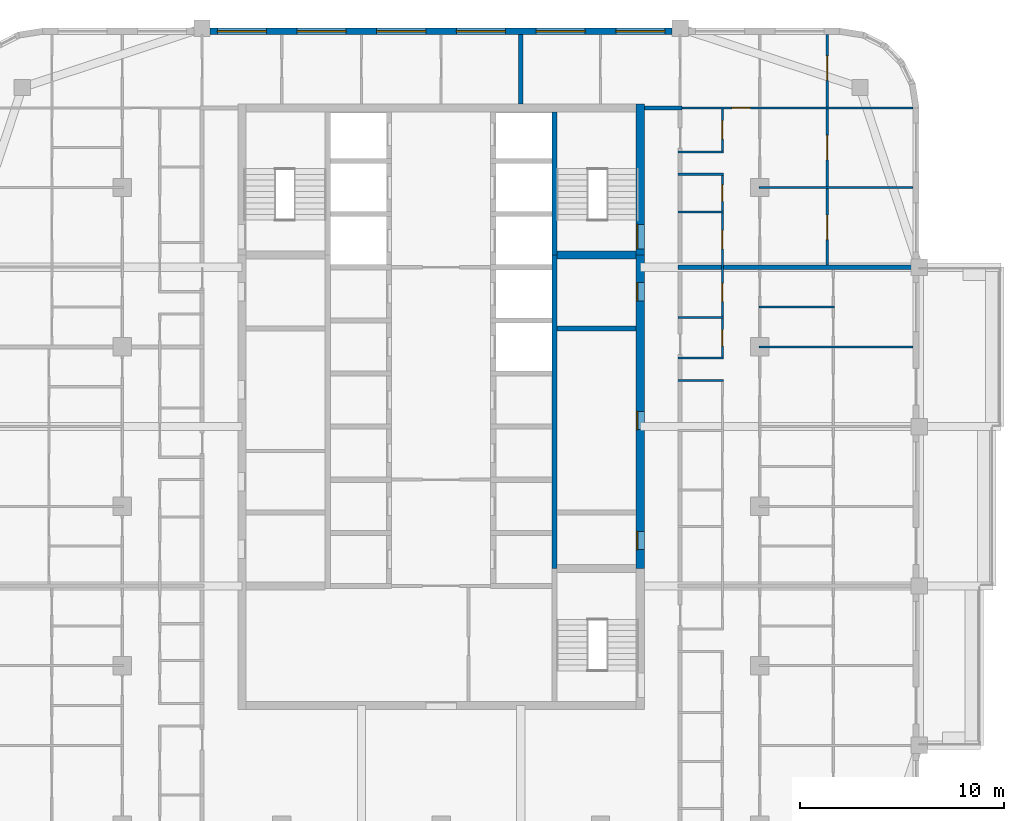
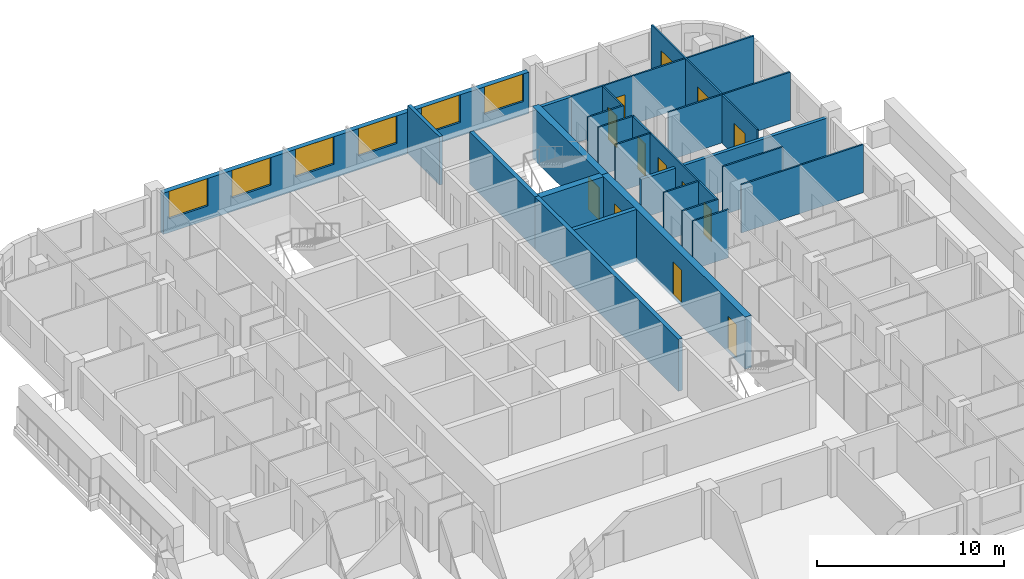
# One storey, part 11 of 16: 23 walls, 13 doors, 6 windows, 19 openings.
"""IFC4 building model written with IfcOpenShell, lengths in metres."""

from ifc_helpers import new_model, si_unit, direction, frame, frame_2d, origin, place, context, subcontext, project, spatial, rectangle, extrude, material, layer, layer_set, type_object, element, fill, save


model = new_model("IFC4")

# Units and contexts
model_context = context("Model", 3, precision=1e-05, world=origin(), true_north=direction((0.0, 1.0)))
body_context = subcontext(model_context, "Body", "Model", "MODEL_VIEW")
ifc_project = project(units=[si_unit("LENGTHUNIT", "METRE"), si_unit("AREAUNIT", "SQUARE_METRE"), si_unit("VOLUMEUNIT", "CUBIC_METRE"), si_unit("PLANEANGLEUNIT", "RADIAN"), si_unit("MASSUNIT", "GRAM", prefix="KILO")], contexts=[model_context])

# Site, building, storey
site_placement = place(None, origin())
site = spatial("IfcSite", under=ifc_project, at=site_placement, CompositionType="ELEMENT")
building_placement = place(site_placement, origin())
building = spatial("IfcBuilding", under=site, at=building_placement, Name="Ludao Terraces", CompositionType="ELEMENT")
storey_placement = place(building_placement, frame((0.0, 0.0, 227.89990234375)))
storey = spatial("IfcBuildingStorey", under=building, at=storey_placement, Name="L62", CompositionType="ELEMENT", Elevation=227.89990234375)

# Wall, openings, doors
ifc_material_1 = material(Name="Concrete C50", Category="concrete")
ifc_layer_1 = layer(ifc_material_1, 0.39990234375)
ifc_layer_set_1 = layer_set([ifc_layer_1], Name="Core wall 400 C50")
wall_type_1 = type_object("IfcWallType", Name="Core wall 400 C50", PredefinedType="SOLIDWALL", material=ifc_layer_set_1)
wall_1_placement = place(storey_placement, frame((94.75, 61.949951171875, -0.25), z_axis=(0.0, 0.0, 1.0), x_axis=(0.0, 1.0, 0.0)))
wall_1 = element("IfcWall", 1, at=wall_1_placement, inside=storey, type_object=wall_type_1, Name="Core wall L62 outer-E", PredefinedType="SOLIDWALL", context=body_context, shape_type="SweptSolid", body=[
    extrude(rectangle(XDim=15.35009765625, YDim=0.39990234375, at=frame_2d((7.675048828125, 0.0))), origin(), (0.0, 0.0, 1.0), 3.400146484375),
])
opening_1_placement = place(wall_1_placement, frame((0.925048828125, 0.0, 0.25)))
opening_1 = element("IfcOpeningElement", 2, at=opening_1_placement, cuts=wall_1, Name="Opening R22-055", PredefinedType="OPENING", context=body_context, shape_type="SweptSolid", body=[
    extrude(rectangle(XDim=0.89990234375, YDim=2.10009765625, at=frame_2d((0.449951171875, 1.050048828125))), frame((0.0, 0.2099609375, 0.0), z_axis=(0.0, -1.0, 0.0), x_axis=(1.0, 0.0, 0.0)), (0.0, 0.0, 1.0), 0.419921875),
])
opening_2_placement = place(wall_1_placement, frame((6.800048828125, 0.0, 0.25)))
opening_2 = element("IfcOpeningElement", 3, at=opening_2_placement, cuts=wall_1, Name="Opening R22-076", PredefinedType="OPENING", context=body_context, shape_type="SweptSolid", body=[
    extrude(rectangle(XDim=0.89990234375, YDim=2.10009765625, at=frame_2d((0.449951171875, 1.050048828125))), frame((0.0, 0.2099609375, 0.0), z_axis=(0.0, -1.0, 0.0), x_axis=(1.0, 0.0, 0.0)), (0.0, 0.0, 1.0), 0.419921875),
])
opening_3_placement = place(wall_1_placement, frame((13.10009765625, 0.0, 0.25)))
opening_3 = element("IfcOpeningElement", 4, at=opening_3_placement, cuts=wall_1, Name="Opening R22-098", PredefinedType="OPENING", context=body_context, shape_type="SweptSolid", body=[
    extrude(rectangle(XDim=0.89990234375, YDim=2.10009765625, at=frame_2d((0.449951171875, 1.050048828125))), frame((0.0, 0.2099609375, 0.0), z_axis=(0.0, -1.0, 0.0), x_axis=(1.0, 0.0, 0.0)), (0.0, 0.0, 1.0), 0.419921875),
])
ifc_material_2 = material(Name="Steel Q235", Category="steel")
door_type_1 = type_object("IfcDoorType", Name="INT Riser door 900", OperationType="SINGLE_SWING_LEFT", PredefinedType="DOOR", material=ifc_material_2)
door_1_placement = place(opening_1_placement, origin())
door_1 = element("IfcDoor", 5, at=door_1_placement, inside=storey, type_object=door_type_1, Name="DOOR 055", OperationType="SINGLE_SWING_LEFT", OverallHeight=2.10009765625, OverallWidth=0.89990234375, PredefinedType="DOOR", context=body_context, shape_type="SweptSolid", body=[
    extrude(rectangle(XDim=0.89990234375, YDim=2.10009765625, at=frame_2d((0.449951171875, 1.050048828125))), frame((0.0, 0.18505859375, 0.0), z_axis=(0.0, -1.0, 0.0), x_axis=(1.0, 0.0, 0.0)), (0.0, 0.0, 1.0), 0.050048828125),
])
fill(opening_1, door_1)
door_2_placement = place(opening_3_placement, origin())
door_2 = element("IfcDoor", 6, at=door_2_placement, inside=storey, type_object=door_type_1, Name="DOOR 098", OperationType="SINGLE_SWING_RIGHT", OverallHeight=2.10009765625, OverallWidth=0.89990234375, PredefinedType="DOOR", context=body_context, shape_type="SweptSolid", body=[
    extrude(rectangle(XDim=0.89990234375, YDim=2.10009765625, at=frame_2d((0.449951171875, 1.050048828125))), frame((0.0, 0.18505859375, 0.0), z_axis=(0.0, -1.0, 0.0), x_axis=(1.0, 0.0, 0.0)), (0.0, 0.0, 1.0), 0.050048828125),
])
fill(opening_3, door_2)
ifc_material_3 = material(Name="Timber door leaf", Category="wood")
door_type_2 = type_object("IfcDoorType", Name="INT Room door 900", OperationType="SINGLE_SWING_LEFT", PredefinedType="DOOR", material=ifc_material_3)
door_3_placement = place(opening_2_placement, origin())
door_3 = element("IfcDoor", 7, at=door_3_placement, inside=storey, type_object=door_type_2, Name="DOOR 076", OperationType="SINGLE_SWING_LEFT", OverallHeight=2.10009765625, OverallWidth=0.89990234375, PredefinedType="DOOR", context=body_context, shape_type="SweptSolid", body=[
    extrude(rectangle(XDim=0.89990234375, YDim=2.10009765625, at=frame_2d((0.449951171875, 1.050048828125))), frame((0.0, 0.18505859375, 0.0), z_axis=(0.0, -1.0, 0.0), x_axis=(1.0, 0.0, 0.0)), (0.0, 0.0, 1.0), 0.050048828125),
])
fill(opening_2, door_3)

# Wall, opening, door
wall_2_placement = place(storey_placement, frame((94.75, 77.300048828125, -0.25), z_axis=(0.0, 0.0, 1.0), x_axis=(0.0, 1.0, 0.0)))
wall_2 = element("IfcWall", 8, at=wall_2_placement, inside=storey, type_object=wall_type_1, Name="Core wall L62 outer-E-S2", PredefinedType="SOLIDWALL", context=body_context, shape_type="SweptSolid", body=[
    extrude(rectangle(XDim=7.39990234375, YDim=0.39990234375, at=frame_2d((3.699951171875, 0.0))), origin(), (0.0, 0.0, 1.0), 3.400146484375),
])
opening_4_placement = place(wall_2_placement, frame((0.300048828125, 0.0, 0.25)))
opening_4 = element("IfcOpeningElement", 9, at=opening_4_placement, cuts=wall_2, Name="Opening R22-110", PredefinedType="OPENING", context=body_context, shape_type="SweptSolid", body=[
    extrude(rectangle(XDim=1.199951171875, YDim=2.10009765625, at=frame_2d((0.60009765625, 1.050048828125))), frame((0.0, 0.2099609375, 0.0), z_axis=(0.0, -1.0, 0.0), x_axis=(1.0, 0.0, 0.0)), (0.0, 0.0, 1.0), 0.419921875),
])
door_type_3 = type_object("IfcDoorType", Name="INT Stair door 1200", OperationType="DOUBLE_DOOR_SINGLE_SWING", PredefinedType="DOOR", material=ifc_material_2)
door_4_placement = place(opening_4_placement, origin())
door_4 = element("IfcDoor", 10, at=door_4_placement, inside=storey, type_object=door_type_3, Name="DOOR 110", OperationType="DOUBLE_DOOR_SINGLE_SWING", OverallHeight=2.10009765625, OverallWidth=1.199951171875, PredefinedType="DOOR", context=body_context, shape_type="SweptSolid", body=[
    extrude(rectangle(XDim=1.199951171875, YDim=2.10009765625, at=frame_2d((0.60009765625, 1.050048828125))), frame((0.0, 0.18505859375, 0.0), z_axis=(0.0, -1.0, 0.0), x_axis=(1.0, 0.0, 0.0)), (0.0, 0.0, 1.0), 0.050048828125),
])
fill(opening_4, door_4)

# Wall, openings, windows
ifc_material_4 = material(Name="Granite cladding", Category="masonry")
ifc_layer_2 = layer(ifc_material_4, 0.0400390625, Category="stone")
ifc_material_5 = material(Name="Mineral wool")
ifc_layer_3 = layer(ifc_material_5, 0.06005859375)
ifc_material_6 = material(Name="Concrete C40", Category="concrete")
ifc_layer_4 = layer(ifc_material_6, 0.199951171875, Category="concrete")
ifc_layer_set_2 = layer_set([ifc_layer_2, ifc_layer_3, ifc_layer_4], Name="ENV Stone-clad wall 300")
wall_type_2 = type_object("IfcWallType", Name="ENV Stone-clad wall 300", PredefinedType="SOLIDWALL", material=ifc_layer_set_2)
wall_3_placement = place(storey_placement, frame((73.699951171875, 88.25, 0.0), z_axis=(0.0, 0.0, 1.0), x_axis=(1.0, 0.0, 0.0)))
wall_3 = element("IfcWall", 11, at=wall_3_placement, inside=storey, type_object=wall_type_2, Name="EW-L62-N2", PredefinedType="SOLIDWALL", context=body_context, shape_type="SweptSolid", body=[
    extrude(rectangle(XDim=22.60009765625, YDim=0.300048828125, at=frame_2d((11.300048828125, 0.0))), origin(), (0.0, 0.0, 1.0), 2.7001953125),
])
opening_5_placement = place(wall_3_placement, frame((0.35009765625, 0.0, 0.89990234375)))
opening_5 = element("IfcOpeningElement", 12, at=opening_5_placement, cuts=wall_3, Name="Opening W1", PredefinedType="OPENING", context=body_context, shape_type="SweptSolid", body=[
    extrude(rectangle(XDim=2.39990234375, YDim=1.800048828125, at=frame_2d((1.199951171875, 0.89990234375))), frame((0.0, 0.16015625, 0.0), z_axis=(0.0, -1.0, 0.0), x_axis=(1.0, 0.0, 0.0)), (0.0, 0.0, 1.0), 0.320068359375),
])
opening_6_placement = place(wall_3_placement, frame((4.25, 0.0, 0.89990234375)))
opening_6 = element("IfcOpeningElement", 13, at=opening_6_placement, cuts=wall_3, Name="Opening W1", PredefinedType="OPENING", context=body_context, shape_type="SweptSolid", body=[
    extrude(rectangle(XDim=2.39990234375, YDim=1.800048828125, at=frame_2d((1.199951171875, 0.89990234375))), frame((0.0, 0.16015625, 0.0), z_axis=(0.0, -1.0, 0.0), x_axis=(1.0, 0.0, 0.0)), (0.0, 0.0, 1.0), 0.320068359375),
])
opening_7_placement = place(wall_3_placement, frame((8.14990234375, 0.0, 0.89990234375)))
opening_7 = element("IfcOpeningElement", 14, at=opening_7_placement, cuts=wall_3, Name="Opening W1", PredefinedType="OPENING", context=body_context, shape_type="SweptSolid", body=[
    extrude(rectangle(XDim=2.39990234375, YDim=1.800048828125, at=frame_2d((1.199951171875, 0.89990234375))), frame((0.0, 0.16015625, 0.0), z_axis=(0.0, -1.0, 0.0), x_axis=(1.0, 0.0, 0.0)), (0.0, 0.0, 1.0), 0.320068359375),
])
opening_8_placement = place(wall_3_placement, frame((12.050048828125, 0.0, 0.89990234375)))
opening_8 = element("IfcOpeningElement", 15, at=opening_8_placement, cuts=wall_3, Name="Opening W1", PredefinedType="OPENING", context=body_context, shape_type="SweptSolid", body=[
    extrude(rectangle(XDim=2.39990234375, YDim=1.800048828125, at=frame_2d((1.199951171875, 0.89990234375))), frame((0.0, 0.16015625, 0.0), z_axis=(0.0, -1.0, 0.0), x_axis=(1.0, 0.0, 0.0)), (0.0, 0.0, 1.0), 0.320068359375),
])
opening_9_placement = place(wall_3_placement, frame((15.949951171875, 0.0, 0.89990234375)))
opening_9 = element("IfcOpeningElement", 16, at=opening_9_placement, cuts=wall_3, Name="Opening W1", PredefinedType="OPENING", context=body_context, shape_type="SweptSolid", body=[
    extrude(rectangle(XDim=2.39990234375, YDim=1.800048828125, at=frame_2d((1.199951171875, 0.89990234375))), frame((0.0, 0.16015625, 0.0), z_axis=(0.0, -1.0, 0.0), x_axis=(1.0, 0.0, 0.0)), (0.0, 0.0, 1.0), 0.320068359375),
])
opening_10_placement = place(wall_3_placement, frame((19.85009765625, 0.0, 0.89990234375)))
opening_10 = element("IfcOpeningElement", 17, at=opening_10_placement, cuts=wall_3, Name="Opening W1", PredefinedType="OPENING", context=body_context, shape_type="SweptSolid", body=[
    extrude(rectangle(XDim=2.39990234375, YDim=1.800048828125, at=frame_2d((1.199951171875, 0.89990234375))), frame((0.0, 0.16015625, 0.0), z_axis=(0.0, -1.0, 0.0), x_axis=(1.0, 0.0, 0.0)), (0.0, 0.0, 1.0), 0.320068359375),
])
ifc_material_7 = material(Name="Clear glass in aluminium frame", Category="aluminium")
ifc_layer_5 = layer(ifc_material_7, 0.06005859375)
ifc_layer_set_3 = layer_set([ifc_layer_5], Name="ENV Window W1 2400x1800")
window_type = type_object("IfcWindowType", Name="ENV Window W1 2400x1800", PartitioningType="DOUBLE_PANEL_VERTICAL", PredefinedType="WINDOW", material=ifc_layer_set_3)
window_1_placement = place(opening_5_placement, origin())
window_1 = element("IfcWindow", 18, at=window_1_placement, inside=storey, type_object=window_type, Name="W-L62-N2-1", OverallHeight=1.800048828125, OverallWidth=2.39990234375, PartitioningType="DOUBLE_PANEL_VERTICAL", PredefinedType="WINDOW", context=body_context, shape_type="SweptSolid", body=[
    extrude(rectangle(XDim=2.39990234375, YDim=1.800048828125, at=frame_2d((1.199951171875, 0.89990234375))), frame((0.0, 0.030029296875, 0.0), z_axis=(0.0, -1.0, 0.0), x_axis=(1.0, 0.0, 0.0)), (0.0, 0.0, 1.0), 0.06005859375),
])
fill(opening_5, window_1)
window_2_placement = place(opening_6_placement, origin())
window_2 = element("IfcWindow", 19, at=window_2_placement, inside=storey, type_object=window_type, Name="W-L62-N2-2", OverallHeight=1.800048828125, OverallWidth=2.39990234375, PartitioningType="DOUBLE_PANEL_VERTICAL", PredefinedType="WINDOW", context=body_context, shape_type="SweptSolid", body=[
    extrude(rectangle(XDim=2.39990234375, YDim=1.800048828125, at=frame_2d((1.199951171875, 0.89990234375))), frame((0.0, 0.030029296875, 0.0), z_axis=(0.0, -1.0, 0.0), x_axis=(1.0, 0.0, 0.0)), (0.0, 0.0, 1.0), 0.06005859375),
])
fill(opening_6, window_2)
window_3_placement = place(opening_7_placement, origin())
window_3 = element("IfcWindow", 20, at=window_3_placement, inside=storey, type_object=window_type, Name="W-L62-N2-3", OverallHeight=1.800048828125, OverallWidth=2.39990234375, PartitioningType="DOUBLE_PANEL_VERTICAL", PredefinedType="WINDOW", context=body_context, shape_type="SweptSolid", body=[
    extrude(rectangle(XDim=2.39990234375, YDim=1.800048828125, at=frame_2d((1.199951171875, 0.89990234375))), frame((0.0, 0.030029296875, 0.0), z_axis=(0.0, -1.0, 0.0), x_axis=(1.0, 0.0, 0.0)), (0.0, 0.0, 1.0), 0.06005859375),
])
fill(opening_7, window_3)
window_4_placement = place(opening_8_placement, origin())
window_4 = element("IfcWindow", 21, at=window_4_placement, inside=storey, type_object=window_type, Name="W-L62-N2-4", OverallHeight=1.800048828125, OverallWidth=2.39990234375, PartitioningType="DOUBLE_PANEL_VERTICAL", PredefinedType="WINDOW", context=body_context, shape_type="SweptSolid", body=[
    extrude(rectangle(XDim=2.39990234375, YDim=1.800048828125, at=frame_2d((1.199951171875, 0.89990234375))), frame((0.0, 0.030029296875, 0.0), z_axis=(0.0, -1.0, 0.0), x_axis=(1.0, 0.0, 0.0)), (0.0, 0.0, 1.0), 0.06005859375),
])
fill(opening_8, window_4)
window_5_placement = place(opening_9_placement, origin())
window_5 = element("IfcWindow", 22, at=window_5_placement, inside=storey, type_object=window_type, Name="W-L62-N2-5", OverallHeight=1.800048828125, OverallWidth=2.39990234375, PartitioningType="DOUBLE_PANEL_VERTICAL", PredefinedType="WINDOW", context=body_context, shape_type="SweptSolid", body=[
    extrude(rectangle(XDim=2.39990234375, YDim=1.800048828125, at=frame_2d((1.199951171875, 0.89990234375))), frame((0.0, 0.030029296875, 0.0), z_axis=(0.0, -1.0, 0.0), x_axis=(1.0, 0.0, 0.0)), (0.0, 0.0, 1.0), 0.06005859375),
])
fill(opening_9, window_5)
window_6_placement = place(opening_10_placement, origin())
window_6 = element("IfcWindow", 23, at=window_6_placement, inside=storey, type_object=window_type, Name="W-L62-N2-6", OverallHeight=1.800048828125, OverallWidth=2.39990234375, PartitioningType="DOUBLE_PANEL_VERTICAL", PredefinedType="WINDOW", context=body_context, shape_type="SweptSolid", body=[
    extrude(rectangle(XDim=2.39990234375, YDim=1.800048828125, at=frame_2d((1.199951171875, 0.89990234375))), frame((0.0, 0.030029296875, 0.0), z_axis=(0.0, -1.0, 0.0), x_axis=(1.0, 0.0, 0.0)), (0.0, 0.0, 1.0), 0.06005859375),
])
fill(opening_10, window_6)

# Walls
ifc_material_8 = material(Name="Autoclaved aerated concrete block B06 A3.5", Category="concrete")
ifc_layer_6 = layer(ifc_material_8, 0.199951171875)
ifc_layer_set_4 = layer_set([ifc_layer_6], Name="INT Entrance wall 200")
wall_type_3 = type_object("IfcWallType", Name="INT Entrance wall 200", PredefinedType="PARTITIONING", material=ifc_layer_set_4)
wall_4_placement = place(storey_placement, frame((94.9501953125, 84.5, 0.0), z_axis=(0.0, 0.0, 1.0), x_axis=(1.0, 0.0, 0.0)))
element("IfcWall", 24, at=wall_4_placement, inside=storey, type_object=wall_type_3, Name="PW-L62-PW067", PredefinedType="PARTITIONING", context=body_context, shape_type="SweptSolid", body=[
    extrude(rectangle(XDim=1.849853515625, YDim=0.199951171875, at=frame_2d((0.9248046875, 0.0))), origin(), (0.0, 0.0, 1.0), 3.150146484375),
])
ifc_material_9 = material(Name="Gypsum plasterboard", Category="gypsum")
ifc_layer_7 = layer(ifc_material_9, 0.012451171875, Category="gypsum")
ifc_layer_8 = layer(ifc_material_5, 0.06005859375, Name="insulation")
ifc_layer_9 = layer(ifc_material_2, 0.014892578125, Name="stud")
ifc_layer_10 = layer(ifc_material_9, 0.012451171875, Category="gypsum")
ifc_layer_set_5 = layer_set([ifc_layer_7, ifc_layer_8, ifc_layer_9, ifc_layer_10], Name="INT Partition 100")
wall_type_4 = type_object("IfcWallType", Name="INT Partition 100", PredefinedType="PARTITIONING", material=ifc_layer_set_5)
for number, where, z_axis, x_axis, name in (
    (25, (96.60009765625, 71.14990234375, 0.0), (0.0, 0.0, 1.0), (1.0, 0.0, 0.0), "PW-L62-PW045"),
    (26, (96.60009765625, 72.25, 0.0), (0.0, 0.0, 1.0), (1.0, 0.0, 0.0), "PW-L62-PW046"),
):
    element("IfcWall", number, at=place(storey_placement, frame(where, z_axis=z_axis, x_axis=x_axis)), inside=storey, type_object=wall_type_4, Name=name, PredefinedType="PARTITIONING", context=body_context, shape_type="SweptSolid", body=[
        extrude(rectangle(XDim=2.219970703125, YDim=0.10009765625, at=frame_2d((1.10986328125, 0.0))), origin(), (0.0, 0.0, 1.0), 3.150146484375),
    ])
wall_5_placement = place(storey_placement, frame((100.550048828125, 72.800048828125, 0.0), z_axis=(0.0, 0.0, 1.0), x_axis=(1.0, 0.0, 0.0)))
element("IfcWall", 27, at=wall_5_placement, inside=storey, type_object=wall_type_4, Name="PW-L62-PW048", PredefinedType="PARTITIONING", context=body_context, shape_type="SweptSolid", body=[
    extrude(rectangle(XDim=7.550048828125, YDim=0.10009765625, at=frame_2d((3.77490234375, 0.0))), origin(), (0.0, 0.0, 1.0), 3.150146484375),
])
wall_6_placement = place(storey_placement, frame((96.60009765625, 74.22998046875, 0.0), z_axis=(0.0, 0.0, 1.0), x_axis=(1.0, 0.0, 0.0)))
element("IfcWall", 28, at=wall_6_placement, inside=storey, type_object=wall_type_4, Name="PW-L62-PW049", PredefinedType="PARTITIONING", context=body_context, shape_type="SweptSolid", body=[
    extrude(rectangle(XDim=2.219970703125, YDim=0.10009765625, at=frame_2d((1.10986328125, 0.0))), origin(), (0.0, 0.0, 1.0), 3.150146484375),
])
wall_7_placement = place(storey_placement, frame((100.550048828125, 74.75, 0.0), z_axis=(0.0, 0.0, 1.0), x_axis=(1.0, 0.0, 0.0)))
element("IfcWall", 29, at=wall_7_placement, inside=storey, type_object=wall_type_4, Name="PW-L62-PW052", PredefinedType="PARTITIONING", context=body_context, shape_type="SweptSolid", body=[
    extrude(rectangle(XDim=3.699951171875, YDim=0.10009765625, at=frame_2d((1.85009765625, 0.0))), origin(), (0.0, 0.0, 1.0), 3.150146484375),
])
wall_8_placement = place(storey_placement, frame((96.60009765625, 79.39990234375, 0.0), z_axis=(0.0, 0.0, 1.0), x_axis=(1.0, 0.0, 0.0)))
element("IfcWall", 30, at=wall_8_placement, inside=storey, type_object=wall_type_4, Name="PW-L62-PW058", PredefinedType="PARTITIONING", context=body_context, shape_type="SweptSolid", body=[
    extrude(rectangle(XDim=2.219970703125, YDim=0.10009765625, at=frame_2d((1.10986328125, 0.0))), origin(), (0.0, 0.0, 1.0), 3.150146484375),
])
wall_9_placement = place(storey_placement, frame((100.550048828125, 80.60009765625, 0.0), z_axis=(0.0, 0.0, 1.0), x_axis=(1.0, 0.0, 0.0)))
element("IfcWall", 31, at=wall_9_placement, inside=storey, type_object=wall_type_4, Name="PW-L62-PW060", PredefinedType="PARTITIONING", context=body_context, shape_type="SweptSolid", body=[
    extrude(rectangle(XDim=7.550048828125, YDim=0.10009765625, at=frame_2d((3.77490234375, 0.0))), origin(), (0.0, 0.0, 1.0), 3.150146484375),
])
for number, where, z_axis, x_axis, name in (
    (32, (96.60009765625, 81.25, 0.0), (0.0, 0.0, 1.0), (1.0, 0.0, 0.0), "PW-L62-PW061"),
    (33, (96.60009765625, 82.35009765625, 0.0), (0.0, 0.0, 1.0), (1.0, 0.0, 0.0), "PW-L62-PW063"),
):
    element("IfcWall", number, at=place(storey_placement, frame(where, z_axis=z_axis, x_axis=x_axis)), inside=storey, type_object=wall_type_4, Name=name, PredefinedType="PARTITIONING", context=body_context, shape_type="SweptSolid", body=[
        extrude(rectangle(XDim=2.219970703125, YDim=0.10009765625, at=frame_2d((1.10986328125, 0.0))), origin(), (0.0, 0.0, 1.0), 3.150146484375),
    ])

# Wall, opening, door
wall_10_placement = place(storey_placement, frame((96.60009765625, 84.5, 0.0), z_axis=(0.0, 0.0, 1.0), x_axis=(1.0, 0.0, 0.0)))
wall_10 = element("IfcWall", 34, at=wall_10_placement, inside=storey, type_object=wall_type_4, Name="PW-L62-PW068", PredefinedType="PARTITIONING", context=body_context, shape_type="SweptSolid", body=[
    extrude(rectangle(XDim=11.5, YDim=0.10009765625, at=frame_2d((5.75, 0.0))), origin(), (0.0, 0.0, 1.0), 3.150146484375),
])
opening_11_placement = place(wall_10_placement, frame((2.635009765625, 0.0, 0.0)))
opening_11 = element("IfcOpeningElement", 35, at=opening_11_placement, cuts=wall_10, Name="Opening R22-130", PredefinedType="OPENING", context=body_context, shape_type="SweptSolid", body=[
    extrude(rectangle(XDim=0.89990234375, YDim=2.10009765625, at=frame_2d((0.449951171875, 1.050048828125))), frame((0.0, 0.06005859375, 0.0), z_axis=(0.0, -1.0, 0.0), x_axis=(1.0, 0.0, 0.0)), (0.0, 0.0, 1.0), 0.1201171875),
])
door_5_placement = place(opening_11_placement, origin())
door_5 = element("IfcDoor", 36, at=door_5_placement, inside=storey, type_object=door_type_2, Name="DOOR 130", OperationType="SINGLE_SWING_LEFT", OverallHeight=2.10009765625, OverallWidth=0.89990234375, PredefinedType="DOOR", context=body_context, shape_type="SweptSolid", body=[
    extrude(rectangle(XDim=0.89990234375, YDim=2.10009765625, at=frame_2d((0.449951171875, 1.050048828125))), frame((0.0, 0.02490234375, 0.0), z_axis=(0.0, -1.0, 0.0), x_axis=(1.0, 0.0, 0.0)), (0.0, 0.0, 1.0), 0.050048828125),
])
fill(opening_11, door_5)

# Wall, openings, doors
wall_11_placement = place(storey_placement, frame((98.77001953125, 72.300048828125, 0.0), z_axis=(0.0, 0.0, 1.0), x_axis=(0.0, 1.0, 0.0)))
wall_11 = element("IfcWall", 37, at=wall_11_placement, inside=storey, type_object=wall_type_4, Name="PW-L62-PW093", PredefinedType="PARTITIONING", context=body_context, shape_type="SweptSolid", body=[
    extrude(rectangle(XDim=8.900146484375, YDim=0.10009765625, at=frame_2d((4.4501953125, 0.0))), origin(), (0.0, 0.0, 1.0), 3.150146484375),
])
opening_12_placement = place(wall_11_placement, frame((0.5400390625, 0.0, 0.0)))
opening_12 = element("IfcOpeningElement", 38, at=opening_12_placement, cuts=wall_11, Name="Opening R22-090", PredefinedType="OPENING", context=body_context, shape_type="SweptSolid", body=[
    extrude(rectangle(XDim=0.800048828125, YDim=2.10009765625, at=frame_2d((0.39990234375, 1.050048828125))), frame((0.0, 0.06005859375, 0.0), z_axis=(0.0, -1.0, 0.0), x_axis=(1.0, 0.0, 0.0)), (0.0, 0.0, 1.0), 0.1201171875),
])
opening_13_placement = place(wall_11_placement, frame((2.715087890625, 0.0, 0.0)))
opening_13 = element("IfcOpeningElement", 39, at=opening_13_placement, cuts=wall_11, Name="Opening R22-096", PredefinedType="OPENING", context=body_context, shape_type="SweptSolid", body=[
    extrude(rectangle(XDim=0.89990234375, YDim=2.10009765625, at=frame_2d((0.449951171875, 1.050048828125))), frame((0.0, 0.06005859375, 0.0), z_axis=(0.0, -1.0, 0.0), x_axis=(1.0, 0.0, 0.0)), (0.0, 0.0, 1.0), 0.1201171875),
])
opening_14_placement = place(wall_11_placement, frame((5.300048828125, 0.0, 0.0)))
opening_14 = element("IfcOpeningElement", 40, at=opening_14_placement, cuts=wall_11, Name="Opening R22-108", PredefinedType="OPENING", context=body_context, shape_type="SweptSolid", body=[
    extrude(rectangle(XDim=0.89990234375, YDim=2.10009765625, at=frame_2d((0.449951171875, 1.050048828125))), frame((0.0, 0.06005859375, 0.0), z_axis=(0.0, -1.0, 0.0), x_axis=(1.0, 0.0, 0.0)), (0.0, 0.0, 1.0), 0.1201171875),
])
opening_15_placement = place(wall_11_placement, frame((7.625, 0.0, 0.0)))
opening_15 = element("IfcOpeningElement", 41, at=opening_15_placement, cuts=wall_11, Name="Opening R22-116", PredefinedType="OPENING", context=body_context, shape_type="SweptSolid", body=[
    extrude(rectangle(XDim=0.800048828125, YDim=2.10009765625, at=frame_2d((0.39990234375, 1.050048828125))), frame((0.0, 0.06005859375, 0.0), z_axis=(0.0, -1.0, 0.0), x_axis=(1.0, 0.0, 0.0)), (0.0, 0.0, 1.0), 0.1201171875),
])
door_6_placement = place(opening_13_placement, origin())
door_6 = element("IfcDoor", 42, at=door_6_placement, inside=storey, type_object=door_type_2, Name="DOOR 096", OperationType="SINGLE_SWING_RIGHT", OverallHeight=2.10009765625, OverallWidth=0.89990234375, PredefinedType="DOOR", context=body_context, shape_type="SweptSolid", body=[
    extrude(rectangle(XDim=0.89990234375, YDim=2.10009765625, at=frame_2d((0.449951171875, 1.050048828125))), frame((0.0, 0.02490234375, 0.0), z_axis=(0.0, -1.0, 0.0), x_axis=(1.0, 0.0, 0.0)), (0.0, 0.0, 1.0), 0.050048828125),
])
fill(opening_13, door_6)
door_7_placement = place(opening_14_placement, origin())
door_7 = element("IfcDoor", 43, at=door_7_placement, inside=storey, type_object=door_type_2, Name="DOOR 108", OperationType="SINGLE_SWING_LEFT", OverallHeight=2.10009765625, OverallWidth=0.89990234375, PredefinedType="DOOR", context=body_context, shape_type="SweptSolid", body=[
    extrude(rectangle(XDim=0.89990234375, YDim=2.10009765625, at=frame_2d((0.449951171875, 1.050048828125))), frame((0.0, 0.02490234375, 0.0), z_axis=(0.0, -1.0, 0.0), x_axis=(1.0, 0.0, 0.0)), (0.0, 0.0, 1.0), 0.050048828125),
])
fill(opening_14, door_7)
door_type_4 = type_object("IfcDoorType", Name="INT Store door 800", OperationType="SINGLE_SWING_LEFT", PredefinedType="DOOR", material=ifc_material_3)
door_8_placement = place(opening_12_placement, origin())
door_8 = element("IfcDoor", 44, at=door_8_placement, inside=storey, type_object=door_type_4, Name="DOOR 090", OperationType="SINGLE_SWING_LEFT", OverallHeight=2.10009765625, OverallWidth=0.800048828125, PredefinedType="DOOR", context=body_context, shape_type="SweptSolid", body=[
    extrude(rectangle(XDim=0.800048828125, YDim=2.10009765625, at=frame_2d((0.39990234375, 1.050048828125))), frame((0.0, 0.02490234375, 0.0), z_axis=(0.0, -1.0, 0.0), x_axis=(1.0, 0.0, 0.0)), (0.0, 0.0, 1.0), 0.050048828125),
])
fill(opening_12, door_8)
door_9_placement = place(opening_15_placement, origin())
door_9 = element("IfcDoor", 45, at=door_9_placement, inside=storey, type_object=door_type_4, Name="DOOR 116", OperationType="SINGLE_SWING_LEFT", OverallHeight=2.10009765625, OverallWidth=0.800048828125, PredefinedType="DOOR", context=body_context, shape_type="SweptSolid", body=[
    extrude(rectangle(XDim=0.800048828125, YDim=2.10009765625, at=frame_2d((0.39990234375, 1.050048828125))), frame((0.0, 0.02490234375, 0.0), z_axis=(0.0, -1.0, 0.0), x_axis=(1.0, 0.0, 0.0)), (0.0, 0.0, 1.0), 0.050048828125),
])
fill(opening_15, door_9)

# Wall, opening, door
wall_12_placement = place(storey_placement, frame((98.77001953125, 82.400146484375, 0.0), z_axis=(0.0, 0.0, 1.0), x_axis=(0.0, 1.0, 0.0)))
wall_12 = element("IfcWall", 46, at=wall_12_placement, inside=storey, type_object=wall_type_4, Name="PW-L62-PW094", PredefinedType="PARTITIONING", context=body_context, shape_type="SweptSolid", body=[
    extrude(rectangle(XDim=2.050048828125, YDim=0.10009765625, at=frame_2d((1.02490234375, 0.0))), origin(), (0.0, 0.0, 1.0), 3.150146484375),
])
opening_16_placement = place(wall_12_placement, frame((0.574951171875, 0.0, 0.0)))
opening_16 = element("IfcOpeningElement", 47, at=opening_16_placement, cuts=wall_12, Name="Opening R22-126", PredefinedType="OPENING", context=body_context, shape_type="SweptSolid", body=[
    extrude(rectangle(XDim=0.89990234375, YDim=2.10009765625, at=frame_2d((0.449951171875, 1.050048828125))), frame((0.0, 0.06005859375, 0.0), z_axis=(0.0, -1.0, 0.0), x_axis=(1.0, 0.0, 0.0)), (0.0, 0.0, 1.0), 0.1201171875),
])
door_type_5 = type_object("IfcDoorType", Name="INT Bathroom door 900", OperationType="SINGLE_SWING_LEFT", PredefinedType="DOOR", material=ifc_material_3)
door_10_placement = place(opening_16_placement, origin())
door_10 = element("IfcDoor", 48, at=door_10_placement, inside=storey, type_object=door_type_5, Name="DOOR 126", OperationType="SINGLE_SWING_LEFT", OverallHeight=2.10009765625, OverallWidth=0.89990234375, PredefinedType="DOOR", context=body_context, shape_type="SweptSolid", body=[
    extrude(rectangle(XDim=0.89990234375, YDim=2.10009765625, at=frame_2d((0.449951171875, 1.050048828125))), frame((0.0, 0.02490234375, 0.0), z_axis=(0.0, -1.0, 0.0), x_axis=(1.0, 0.0, 0.0)), (0.0, 0.0, 1.0), 0.050048828125),
])
fill(opening_16, door_10)

# Wall, openings, doors
wall_13_placement = place(storey_placement, frame((103.89990234375, 76.800048828125, 0.0), z_axis=(0.0, 0.0, 1.0), x_axis=(0.0, 1.0, 0.0)))
wall_13 = element("IfcWall", 49, at=wall_13_placement, inside=storey, type_object=wall_type_4, Name="PW-L62-PW096", PredefinedType="PARTITIONING", context=body_context, shape_type="SweptSolid", body=[
    extrude(rectangle(XDim=11.300048828125, YDim=0.10009765625, at=frame_2d((5.64990234375, 0.0))), origin(), (0.0, 0.0, 1.0), 3.150146484375),
])
opening_17_placement = place(wall_13_placement, frame((1.25, 0.0, 0.0)))
opening_17 = element("IfcOpeningElement", 50, at=opening_17_placement, cuts=wall_13, Name="Opening R22-114", PredefinedType="OPENING", context=body_context, shape_type="SweptSolid", body=[
    extrude(rectangle(XDim=1.199951171875, YDim=2.10009765625, at=frame_2d((0.60009765625, 1.050048828125))), frame((0.0, 0.06005859375, 0.0), z_axis=(0.0, -1.0, 0.0), x_axis=(1.0, 0.0, 0.0)), (0.0, 0.0, 1.0), 0.1201171875),
])
opening_18_placement = place(wall_13_placement, frame((5.14990234375, 0.0, 0.0)))
opening_18 = element("IfcOpeningElement", 51, at=opening_18_placement, cuts=wall_13, Name="Opening R22-121", PredefinedType="OPENING", context=body_context, shape_type="SweptSolid", body=[
    extrude(rectangle(XDim=1.199951171875, YDim=2.10009765625, at=frame_2d((0.60009765625, 1.050048828125))), frame((0.0, 0.06005859375, 0.0), z_axis=(0.0, -1.0, 0.0), x_axis=(1.0, 0.0, 0.0)), (0.0, 0.0, 1.0), 0.1201171875),
])
opening_19_placement = place(wall_13_placement, frame((9.050048828125, 0.0, 0.0)))
opening_19 = element("IfcOpeningElement", 52, at=opening_19_placement, cuts=wall_13, Name="Opening R22-140", PredefinedType="OPENING", context=body_context, shape_type="SweptSolid", body=[
    extrude(rectangle(XDim=1.199951171875, YDim=2.10009765625, at=frame_2d((0.60009765625, 1.050048828125))), frame((0.0, 0.06005859375, 0.0), z_axis=(0.0, -1.0, 0.0), x_axis=(1.0, 0.0, 0.0)), (0.0, 0.0, 1.0), 0.1201171875),
])
door_type_6 = type_object("IfcDoorType", Name="INT Double door 1200", OperationType="DOUBLE_DOOR_SINGLE_SWING", PredefinedType="DOOR", material=ifc_material_3)
door_11_placement = place(opening_17_placement, origin())
door_11 = element("IfcDoor", 53, at=door_11_placement, inside=storey, type_object=door_type_6, Name="DOOR 114", OperationType="DOUBLE_DOOR_SINGLE_SWING", OverallHeight=2.10009765625, OverallWidth=1.199951171875, PredefinedType="DOOR", context=body_context, shape_type="SweptSolid", body=[
    extrude(rectangle(XDim=1.199951171875, YDim=2.10009765625, at=frame_2d((0.60009765625, 1.050048828125))), frame((0.0, 0.02490234375, 0.0), z_axis=(0.0, -1.0, 0.0), x_axis=(1.0, 0.0, 0.0)), (0.0, 0.0, 1.0), 0.050048828125),
])
fill(opening_17, door_11)
door_12_placement = place(opening_18_placement, origin())
door_12 = element("IfcDoor", 54, at=door_12_placement, inside=storey, type_object=door_type_6, Name="DOOR 121", OperationType="DOUBLE_DOOR_SINGLE_SWING", OverallHeight=2.10009765625, OverallWidth=1.199951171875, PredefinedType="DOOR", context=body_context, shape_type="SweptSolid", body=[
    extrude(rectangle(XDim=1.199951171875, YDim=2.10009765625, at=frame_2d((0.60009765625, 1.050048828125))), frame((0.0, 0.02490234375, 0.0), z_axis=(0.0, -1.0, 0.0), x_axis=(1.0, 0.0, 0.0)), (0.0, 0.0, 1.0), 0.050048828125),
])
fill(opening_18, door_12)
door_13_placement = place(opening_19_placement, origin())
door_13 = element("IfcDoor", 55, at=door_13_placement, inside=storey, type_object=door_type_6, Name="DOOR 140", OperationType="DOUBLE_DOOR_SINGLE_SWING", OverallHeight=2.10009765625, OverallWidth=1.199951171875, PredefinedType="DOOR", context=body_context, shape_type="SweptSolid", body=[
    extrude(rectangle(XDim=1.199951171875, YDim=2.10009765625, at=frame_2d((0.60009765625, 1.050048828125))), frame((0.0, 0.02490234375, 0.0), z_axis=(0.0, -1.0, 0.0), x_axis=(1.0, 0.0, 0.0)), (0.0, 0.0, 1.0), 0.050048828125),
])
fill(opening_19, door_13)

# Walls
ifc_layer_11 = layer(ifc_material_8, 0.199951171875)
ifc_layer_set_6 = layer_set([ifc_layer_11], Name="INT Party wall 200")
wall_type_5 = type_object("IfcWallType", Name="INT Party wall 200", PredefinedType="PARTITIONING", material=ifc_layer_set_6)
wall_14_placement = place(storey_placement, frame((96.60009765625, 76.699951171875, 0.0), z_axis=(0.0, 0.0, 1.0), x_axis=(1.0, 0.0, 0.0)))
element("IfcWall", 56, at=wall_14_placement, inside=storey, type_object=wall_type_5, Name="PW-L62-PW056", PredefinedType="PARTITIONING", context=body_context, shape_type="SweptSolid", body=[
    extrude(rectangle(XDim=11.5, YDim=0.199951171875, at=frame_2d((5.75, 0.0))), origin(), (0.0, 0.0, 1.0), 2.550048828125),
])
wall_15_placement = place(storey_placement, frame((88.89990234375, 84.7001953125, 0.0), z_axis=(0.0, 0.0, 1.0), x_axis=(0.0, 1.0, 0.0)))
element("IfcWall", 57, at=wall_15_placement, inside=storey, type_object=wall_type_5, Name="PW-L62-PW085", PredefinedType="PARTITIONING", context=body_context, shape_type="SweptSolid", body=[
    extrude(rectangle(XDim=3.39990234375, YDim=0.199951171875, at=frame_2d((1.699951171875, 0.0))), origin(), (0.0, 0.0, 1.0), 3.150146484375),
])
ifc_layer_12 = layer(ifc_material_1, 0.25)
ifc_layer_set_7 = layer_set([ifc_layer_12], Name="Shaft wall 250 C50")
wall_type_6 = type_object("IfcWallType", Name="Shaft wall 250 C50", PredefinedType="SOLIDWALL", material=ifc_layer_set_7)
wall_16_placement = place(storey_placement, frame((90.550048828125, 61.949951171875, -0.25), z_axis=(0.0, 0.0, 1.0), x_axis=(0.0, 1.0, 0.0)))
element("IfcWall", 58, at=wall_16_placement, inside=storey, type_object=wall_type_6, Name="Core wall L62 back-E", PredefinedType="SOLIDWALL", context=body_context, shape_type="SweptSolid", body=[
    extrude(rectangle(XDim=15.35009765625, YDim=0.25, at=frame_2d((7.675048828125, 0.0))), origin(), (0.0, 0.0, 1.0), 3.400146484375),
])
wall_17_placement = place(storey_placement, frame((90.550048828125, 77.300048828125, -0.25), z_axis=(0.0, 0.0, 1.0), x_axis=(0.0, 1.0, 0.0)))
element("IfcWall", 59, at=wall_17_placement, inside=storey, type_object=wall_type_6, Name="Core wall L62 back-E-S2", PredefinedType="SOLIDWALL", context=body_context, shape_type="SweptSolid", body=[
    extrude(rectangle(XDim=7.0, YDim=0.25, at=frame_2d((3.5, 0.0))), origin(), (0.0, 0.0, 1.0), 3.400146484375),
])
wall_18_placement = place(storey_placement, frame((90.675048828125, 73.699951171875, -0.25), z_axis=(0.0, 0.0, 1.0), x_axis=(1.0, 0.0, 0.0)))
element("IfcWall", 60, at=wall_18_placement, inside=storey, type_object=wall_type_6, Name="Core wall L62 riser-b-E", PredefinedType="SOLIDWALL", context=body_context, shape_type="SweptSolid", body=[
    extrude(rectangle(XDim=3.875, YDim=0.25, at=frame_2d((1.9375, 0.0))), origin(), (0.0, 0.0, 1.0), 3.400146484375),
])
ifc_layer_13 = layer(ifc_material_1, 0.39990234375)
ifc_layer_set_8 = layer_set([ifc_layer_13], Name="Shaft wall 400 C50")
wall_type_7 = type_object("IfcWallType", Name="Shaft wall 400 C50", PredefinedType="SOLIDWALL", material=ifc_layer_set_8)
wall_19_placement = place(storey_placement, frame((90.675048828125, 77.300048828125, -0.25), z_axis=(0.0, 0.0, 1.0), x_axis=(1.0, 0.0, 0.0)))
element("IfcWall", 61, at=wall_19_placement, inside=storey, type_object=wall_type_7, Name="Core wall L62 stair-E", PredefinedType="SOLIDWALL", context=body_context, shape_type="SweptSolid", body=[
    extrude(rectangle(XDim=3.875, YDim=0.39990234375, at=frame_2d((1.9375, 0.0))), origin(), (0.0, 0.0, 1.0), 3.400146484375),
])

save(model, "model.ifc")
